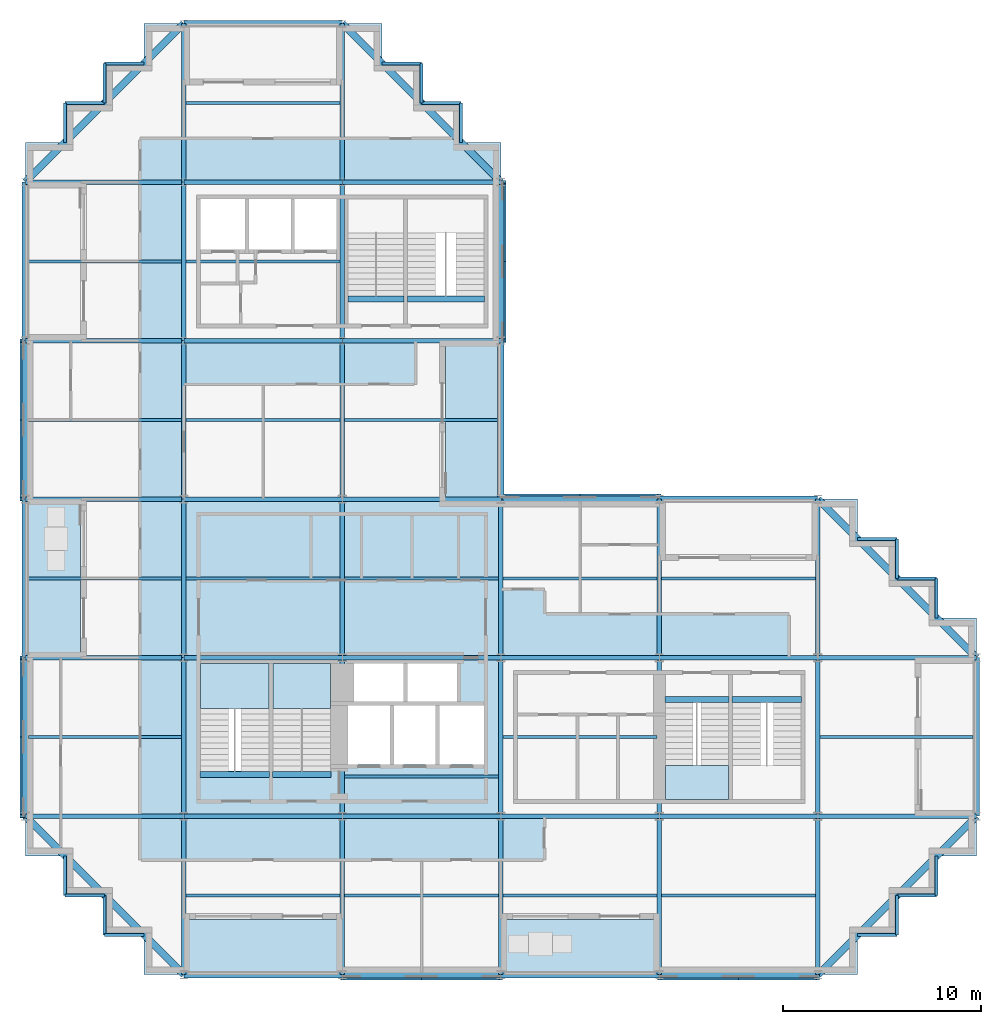
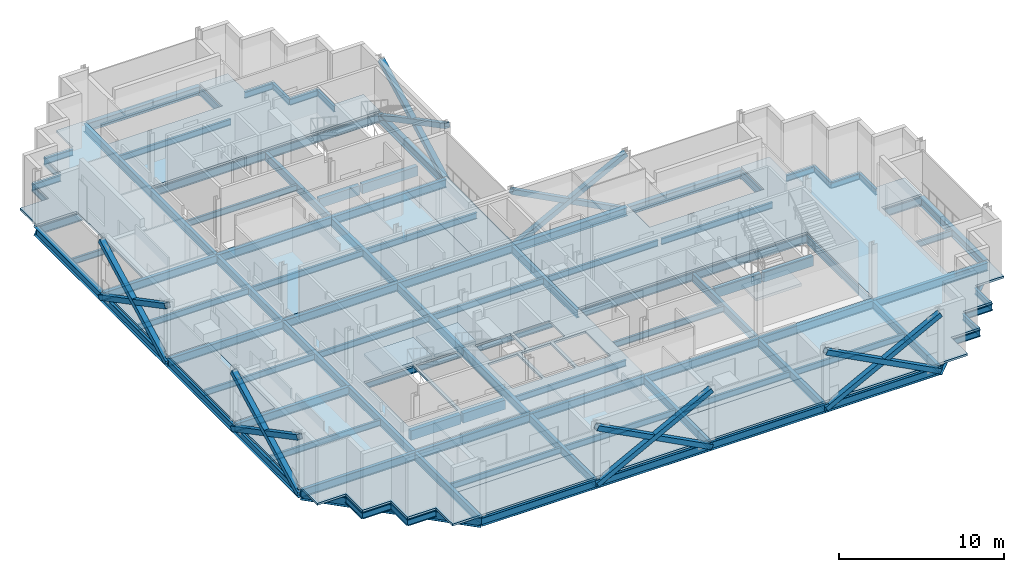
# One storey, part 3 of 13: 106 beams, 12 members, 9 slabs, 3 elements without a shape of their own.
"""IFC4 building model written with IfcOpenShell, lengths in metres."""

from ifc_helpers import new_model, si_unit, direction, frame, origin, origin_2d, place, context, subcontext, project, spatial, polyline, rectangle, hollow_rectangle, i_section, outline, extrude, material, layer, layer_set, material_profile, profile_set, type_object, element, aggregate, save


model = new_model("IFC4")

# Units and contexts
model_context = context("Model", 3, precision=1e-05, world=origin(), true_north=direction((0.0, 1.0)))
body_context = subcontext(model_context, "Body", "Model", "MODEL_VIEW")
ifc_project = project(units=[si_unit("LENGTHUNIT", "METRE"), si_unit("AREAUNIT", "SQUARE_METRE"), si_unit("VOLUMEUNIT", "CUBIC_METRE"), si_unit("PLANEANGLEUNIT", "RADIAN"), si_unit("MASSUNIT", "GRAM", prefix="KILO")], contexts=[model_context])

# Site, building, storey
site_placement = place(None, origin())
site = spatial("IfcSite", under=ifc_project, at=site_placement, CompositionType="ELEMENT")
building_placement = place(site_placement, origin())
building = spatial("IfcBuilding", under=site, at=building_placement, Name="Immortelle Media Tower", CompositionType="ELEMENT")
storey_placement = place(building_placement, frame((0.0, 0.0, 170.39990234375)))
storey = spatial("IfcBuildingStorey", under=building, at=storey_placement, Name="L35", CompositionType="ELEMENT", Elevation=170.39990234375)

# Members
ifc_material_1 = material(Name="Steel ASTM A500 Gr C", Category="steel")
ifc_material_profile_1 = material_profile(ifc_material_1, hollow_rectangle(XDim=0.35595703125, YDim=0.35595703125, WallThickness=0.011962890625, at=origin_2d()), Name="HSS14x14x1/2 brace")
ifc_profile_set_1 = profile_set([ifc_material_profile_1], Name="Steel ASTM A500 Gr C")
member_type = type_object("IfcMemberType", Name="HSS14x14x1/2 brace", PredefinedType="BRACE", material=ifc_profile_set_1)
for number, where, z_axis, x_axis, name in (
    (1, (16.0, -0.087890625, -0.455810546875), (0.885400126936, 0.0, 0.464829662588), (0.0, 1.0, 0.0), "Brace A/3-4 A"),
    (2, (16.0, -0.087890625, 3.744140625), (0.885400126936, 0.0, -0.464829662588), (0.0, 1.0, 0.0), "Brace A/3-4 B"),
    (3, (32.0, -0.087890625, -0.455810546875), (0.885400126936, 0.0, 0.464829662588), (0.0, 1.0, 0.0), "Brace A/5-6 A"),
    (4, (32.0, -0.087890625, 3.744140625), (0.885400126936, 0.0, -0.464829662588), (0.0, 1.0, 0.0), "Brace A/5-6 B"),
    (5, (32.0, 24.087890625, -0.455810546875), (-0.885400126936, 0.0, 0.464829662588), (0.0, -1.0, 0.0), "Brace D/4-5 A"),
    (6, (32.0, 24.087890625, 3.744140625), (-0.885400126936, 0.0, -0.464829662588), (0.0, -1.0, 0.0), "Brace D/4-5 B"),
    (7, (24.087890625, 32.0, -0.455810546875), (0.0, 0.885400126936, 0.464829662588), (-1.0, 0.0, 0.0), "Brace 4/E-F A"),
    (8, (24.087890625, 32.0, 3.744140625), (0.0, 0.885400126936, -0.464829662588), (-1.0, 0.0, 0.0), "Brace 4/E-F B"),
    (9, (-0.087890625, 32.0, -0.455810546875), (0.0, -0.885400126936, 0.464829662588), (1.0, 0.0, 0.0), "Brace 1/D-E A"),
    (10, (-0.087890625, 32.0, 3.744140625), (0.0, -0.885400126936, -0.464829662588), (1.0, 0.0, 0.0), "Brace 1/D-E B"),
    (11, (-0.087890625, 16.0, -0.455810546875), (0.0, -0.885400126936, 0.464829662588), (1.0, 0.0, 0.0), "Brace 1/B-C A"),
    (12, (-0.087890625, 16.0, 3.744140625), (0.0, -0.885400126936, -0.464829662588), (1.0, 0.0, 0.0), "Brace 1/B-C B"),
):
    element("IfcMember", number, at=place(storey_placement, frame(where, z_axis=z_axis, x_axis=x_axis)), inside=storey, type_object=member_type, Name=name, PredefinedType="BRACE", context=body_context, shape_type="SweptSolid", body=[
        extrude(hollow_rectangle(XDim=0.35595703125, YDim=0.35595703125, WallThickness=0.011962890625, at=origin_2d()), origin(), (0.0, 0.0, 1.0), 9.035400390625),
    ])

# Beams
ifc_material_2 = material(Name="Concrete C50/60", Category="concrete")
ifc_material_profile_2 = material_profile(ifc_material_2, rectangle(XDim=0.300048828125, YDim=0.699951171875, at=origin_2d()), Name="RC 300x700")
ifc_profile_set_2 = profile_set([ifc_material_profile_2], Name="Concrete C50/60")
beam_type_1 = type_object("IfcBeamType", Name="Stair trimmer beam 300 x 700", PredefinedType="BEAM", material=ifc_profile_set_2)
beam_1_placement = place(storey_placement, frame((8.830078125, 10.10498046875, -0.5), z_axis=(1.0, 0.0, 0.0), x_axis=(0.0, 1.0, 0.0)))
element("IfcBeam", 13, at=beam_1_placement, inside=storey, type_object=beam_type_1, Name="Stair trimmer beam SW1", PredefinedType="BEAM", context=body_context, shape_type="SweptSolid", body=[
    extrude(rectangle(XDim=0.300048828125, YDim=0.699951171875, at=origin_2d()), origin(), (0.0, 0.0, 1.0), 3.489990234375),
])
beam_2_placement = place(storey_placement, frame((12.47998046875, 10.10498046875, -0.5), z_axis=(1.0, 0.0, 0.0), x_axis=(0.0, 1.0, 0.0)))
element("IfcBeam", 14, at=beam_2_placement, inside=storey, type_object=beam_type_1, Name="Stair trimmer beam SW2", PredefinedType="BEAM", context=body_context, shape_type="SweptSolid", body=[
    extrude(rectangle(XDim=0.300048828125, YDim=0.699951171875, at=origin_2d()), origin(), (0.0, 0.0, 1.0), 2.93994140625),
])
beam_3_placement = place(storey_placement, frame((32.280029296875, 13.89501953125, -0.5), z_axis=(1.0, 0.0, 0.0), x_axis=(0.0, 1.0, 0.0)))
element("IfcBeam", 15, at=beam_3_placement, inside=storey, type_object=beam_type_1, Name="Stair trimmer beam SE1", PredefinedType="BEAM", context=body_context, shape_type="SweptSolid", body=[
    extrude(rectangle(XDim=0.300048828125, YDim=0.699951171875, at=origin_2d()), origin(), (0.0, 0.0, 1.0), 3.239990234375),
])
beam_4_placement = place(storey_placement, frame((35.679931640625, 13.89501953125, -0.5), z_axis=(1.0, 0.0, 0.0), x_axis=(0.0, 1.0, 0.0)))
element("IfcBeam", 16, at=beam_4_placement, inside=storey, type_object=beam_type_1, Name="Stair trimmer beam SE2", PredefinedType="BEAM", context=body_context, shape_type="SweptSolid", body=[
    extrude(rectangle(XDim=0.300048828125, YDim=0.699951171875, at=origin_2d()), origin(), (0.0, 0.0, 1.0), 3.489990234375),
])
beam_5_placement = place(storey_placement, frame((16.280029296875, 34.10498046875, -0.5), z_axis=(1.0, 0.0, 0.0), x_axis=(0.0, 1.0, 0.0)))
element("IfcBeam", 17, at=beam_5_placement, inside=storey, type_object=beam_type_1, Name="Stair trimmer beam NW1", PredefinedType="BEAM", context=body_context, shape_type="SweptSolid", body=[
    extrude(rectangle(XDim=0.300048828125, YDim=0.699951171875, at=origin_2d()), origin(), (0.0, 0.0, 1.0), 2.840087890625),
])
beam_6_placement = place(storey_placement, frame((19.280029296875, 34.10498046875, -0.5), z_axis=(1.0, 0.0, 0.0), x_axis=(0.0, 1.0, 0.0)))
element("IfcBeam", 18, at=beam_6_placement, inside=storey, type_object=beam_type_1, Name="Stair trimmer beam NW2", PredefinedType="BEAM", context=body_context, shape_type="SweptSolid", body=[
    extrude(rectangle(XDim=0.300048828125, YDim=0.699951171875, at=origin_2d()), origin(), (0.0, 0.0, 1.0), 3.889892578125),
])
ifc_material_3 = material(Name="Steel ASTM A992 Gr 50", Category="steel")
ifc_material_profile_3 = material_profile(ifc_material_3, i_section(OverallWidth=0.153076171875, OverallDepth=0.455078125, WebThickness=0.008056640625, FlangeThickness=0.012939453125, at=origin_2d()), Name="W18x40")
ifc_profile_set_3 = profile_set([ifc_material_profile_3], Name="Steel ASTM A992 Gr 50")
beam_type_2 = type_object("IfcBeamType", Name="W18x40 secondary beam", PredefinedType="JOIST", material=ifc_profile_set_3)
for number, where, z_axis, x_axis, name in (
    (19, (8.114013671875, 4.0, -0.37744140625), (1.0, 0.0, 0.0), (0.0, 1.0, 0.0), "Beam A-B/2-3"),
    (20, (16.114013671875, 4.0, -0.37744140625), (1.0, 0.0, 0.0), (0.0, 1.0, 0.0), "Beam A-B/3-4"),
    (21, (24.114013671875, 4.0, -0.37744140625), (1.0, 0.0, 0.0), (0.0, 1.0, 0.0), "Beam A-B/4-5"),
    (22, (32.114013671875, 4.0, -0.37744140625), (1.0, 0.0, 0.0), (0.0, 1.0, 0.0), "Beam A-B/5-6"),
):
    element("IfcBeam", number, at=place(storey_placement, frame(where, z_axis=z_axis, x_axis=x_axis)), inside=storey, type_object=beam_type_2, Name=name, PredefinedType="JOIST", context=body_context, shape_type="SweptSolid", body=[
        extrude(i_section(OverallWidth=0.153076171875, OverallDepth=0.455078125, WebThickness=0.008056640625, FlangeThickness=0.012939453125, at=origin_2d()), origin(), (0.0, 0.0, 1.0), 7.77197265625),
    ])
beam_7_placement = place(storey_placement, frame((0.162109375, 12.0, -0.37744140625), z_axis=(1.0, 0.0, 0.0), x_axis=(0.0, 1.0, 0.0)))
element("IfcBeam", 23, at=beam_7_placement, inside=storey, type_object=beam_type_2, Name="Beam B-C/1-2", PredefinedType="JOIST", context=body_context, shape_type="SweptSolid", body=[
    extrude(i_section(OverallWidth=0.153076171875, OverallDepth=0.455078125, WebThickness=0.008056640625, FlangeThickness=0.012939453125, at=origin_2d()), origin(), (0.0, 0.0, 1.0), 7.723876953125),
])
for number, where, z_axis, x_axis, name in (
    (24, (16.114013671875, 10.0, -0.37744140625), (1.0, 0.0, 0.0), (0.0, 1.0, 0.0), "Beam B-C/3-4"),
    (25, (24.114013671875, 12.0, -0.37744140625), (1.0, 0.0, 0.0), (0.0, 1.0, 0.0), "Beam B-C/4-5"),
):
    element("IfcBeam", number, at=place(storey_placement, frame(where, z_axis=z_axis, x_axis=x_axis)), inside=storey, type_object=beam_type_2, Name=name, PredefinedType="JOIST", context=body_context, shape_type="SweptSolid", body=[
        extrude(i_section(OverallWidth=0.153076171875, OverallDepth=0.455078125, WebThickness=0.008056640625, FlangeThickness=0.012939453125, at=origin_2d()), origin(), (0.0, 0.0, 1.0), 7.77197265625),
    ])
for number, where, z_axis, x_axis, name in (
    (26, (40.114013671875, 12.0, -0.37744140625), (1.0, 0.0, 0.0), (0.0, 1.0, 0.0), "Beam B-C/6-7"),
    (27, (0.162109375, 20.0, -0.37744140625), (1.0, 0.0, 0.0), (0.0, 1.0, 0.0), "Beam C-D/1-2"),
):
    element("IfcBeam", number, at=place(storey_placement, frame(where, z_axis=z_axis, x_axis=x_axis)), inside=storey, type_object=beam_type_2, Name=name, PredefinedType="JOIST", context=body_context, shape_type="SweptSolid", body=[
        extrude(i_section(OverallWidth=0.153076171875, OverallDepth=0.455078125, WebThickness=0.008056640625, FlangeThickness=0.012939453125, at=origin_2d()), origin(), (0.0, 0.0, 1.0), 7.723876953125),
    ])
for number, where, z_axis, x_axis, name in (
    (28, (8.114013671875, 20.0, -0.37744140625), (1.0, 0.0, 0.0), (0.0, 1.0, 0.0), "Beam C-D/2-3"),
    (29, (16.114013671875, 20.0, -0.37744140625), (1.0, 0.0, 0.0), (0.0, 1.0, 0.0), "Beam C-D/3-4"),
    (30, (24.114013671875, 20.0, -0.37744140625), (1.0, 0.0, 0.0), (0.0, 1.0, 0.0), "Beam C-D/4-5"),
    (31, (32.114013671875, 20.0, -0.37744140625), (1.0, 0.0, 0.0), (0.0, 1.0, 0.0), "Beam C-D/5-6"),
):
    element("IfcBeam", number, at=place(storey_placement, frame(where, z_axis=z_axis, x_axis=x_axis)), inside=storey, type_object=beam_type_2, Name=name, PredefinedType="JOIST", context=body_context, shape_type="SweptSolid", body=[
        extrude(i_section(OverallWidth=0.153076171875, OverallDepth=0.455078125, WebThickness=0.008056640625, FlangeThickness=0.012939453125, at=origin_2d()), origin(), (0.0, 0.0, 1.0), 7.77197265625),
    ])
beam_8_placement = place(storey_placement, frame((0.162109375, 28.0, -0.37744140625), z_axis=(1.0, 0.0, 0.0), x_axis=(0.0, 1.0, 0.0)))
element("IfcBeam", 32, at=beam_8_placement, inside=storey, type_object=beam_type_2, Name="Beam D-E/1-2", PredefinedType="JOIST", context=body_context, shape_type="SweptSolid", body=[
    extrude(i_section(OverallWidth=0.153076171875, OverallDepth=0.455078125, WebThickness=0.008056640625, FlangeThickness=0.012939453125, at=origin_2d()), origin(), (0.0, 0.0, 1.0), 7.723876953125),
])
beam_9_placement = place(storey_placement, frame((8.114013671875, 28.0, -0.37744140625), z_axis=(1.0, 0.0, 0.0), x_axis=(0.0, 1.0, 0.0)))
element("IfcBeam", 33, at=beam_9_placement, inside=storey, type_object=beam_type_2, Name="Beam D-E/2-3", PredefinedType="JOIST", context=body_context, shape_type="SweptSolid", body=[
    extrude(i_section(OverallWidth=0.153076171875, OverallDepth=0.455078125, WebThickness=0.008056640625, FlangeThickness=0.012939453125, at=origin_2d()), origin(), (0.0, 0.0, 1.0), 7.77197265625),
])
for number, where, z_axis, x_axis, name in (
    (34, (16.114013671875, 28.0, -0.37744140625), (1.0, 0.0, 0.0), (0.0, 1.0, 0.0), "Beam D-E/3-4"),
    (35, (0.162109375, 36.0, -0.37744140625), (1.0, 0.0, 0.0), (0.0, 1.0, 0.0), "Beam E-F/1-2"),
):
    element("IfcBeam", number, at=place(storey_placement, frame(where, z_axis=z_axis, x_axis=x_axis)), inside=storey, type_object=beam_type_2, Name=name, PredefinedType="JOIST", context=body_context, shape_type="SweptSolid", body=[
        extrude(i_section(OverallWidth=0.153076171875, OverallDepth=0.455078125, WebThickness=0.008056640625, FlangeThickness=0.012939453125, at=origin_2d()), origin(), (0.0, 0.0, 1.0), 7.723876953125),
    ])
for number, where, z_axis, x_axis, name in (
    (36, (8.114013671875, 36.0, -0.37744140625), (1.0, 0.0, 0.0), (0.0, 1.0, 0.0), "Beam E-F/2-3"),
    (37, (8.114013671875, 44.0, -0.37744140625), (1.0, 0.0, 0.0), (0.0, 1.0, 0.0), "Beam F-G/2-3"),
):
    element("IfcBeam", number, at=place(storey_placement, frame(where, z_axis=z_axis, x_axis=x_axis)), inside=storey, type_object=beam_type_2, Name=name, PredefinedType="JOIST", context=body_context, shape_type="SweptSolid", body=[
        extrude(i_section(OverallWidth=0.153076171875, OverallDepth=0.455078125, WebThickness=0.008056640625, FlangeThickness=0.012939453125, at=origin_2d()), origin(), (0.0, 0.0, 1.0), 7.77197265625),
    ])
ifc_material_profile_4 = material_profile(ifc_material_3, i_section(OverallWidth=0.153076171875, OverallDepth=0.455078125, WebThickness=0.008056640625, FlangeThickness=0.012939453125, at=origin_2d()), Name="W18x40")
ifc_profile_set_4 = profile_set([ifc_material_profile_4], Name="Steel ASTM A992 Gr 50")
beam_type_3 = type_object("IfcBeamType", Name="W18x40 serration edge beam", PredefinedType="SPANDREL", material=ifc_profile_set_4)
for number, where, z_axis, x_axis, name in (
    (38, (6.0, 2.0, -0.37744140625), (-1.0, 0.0, 0.0), (0.0, -1.0, 0.0), "Corner edge beam 1 at 1/A"),
    (39, (4.0, 2.0, -0.37744140625), (0.0, 1.0, 0.0), (-1.0, 0.0, 0.0), "Corner edge beam 2 at 1/A"),
    (40, (4.0, 4.0, -0.37744140625), (-1.0, 0.0, 0.0), (0.0, -1.0, 0.0), "Corner edge beam 3 at 1/A"),
    (41, (2.0, 4.0, -0.37744140625), (0.0, 1.0, 0.0), (-1.0, 0.0, 0.0), "Corner edge beam 4 at 1/A"),
    (42, (2.0, 42.0, -0.37744140625), (0.0, 1.0, 0.0), (-1.0, 0.0, 0.0), "Corner edge beam 1 at 1/G"),
    (43, (2.0, 44.0, -0.37744140625), (1.0, 0.0, 0.0), (0.0, 1.0, 0.0), "Corner edge beam 2 at 1/G"),
    (44, (4.0, 44.0, -0.37744140625), (0.0, 1.0, 0.0), (-1.0, 0.0, 0.0), "Corner edge beam 3 at 1/G"),
    (45, (4.0, 46.0, -0.37744140625), (1.0, 0.0, 0.0), (0.0, 1.0, 0.0), "Corner edge beam 4 at 1/G"),
    (46, (18.0, 46.0, -0.37744140625), (1.0, 0.0, 0.0), (0.0, 1.0, 0.0), "Corner edge beam 1 at 4/G"),
    (47, (20.0, 46.0, -0.37744140625), (0.0, -1.0, 0.0), (1.0, 0.0, 0.0), "Corner edge beam 2 at 4/G"),
    (48, (20.0, 44.0, -0.37744140625), (1.0, 0.0, 0.0), (0.0, 1.0, 0.0), "Corner edge beam 3 at 4/G"),
    (49, (22.0, 44.0, -0.37744140625), (0.0, -1.0, 0.0), (1.0, 0.0, 0.0), "Corner edge beam 4 at 4/G"),
    (50, (46.0, 6.0, -0.37744140625), (0.0, -1.0, 0.0), (1.0, 0.0, 0.0), "Corner edge beam 1 at 7/A"),
    (51, (46.0, 4.0, -0.37744140625), (-1.0, 0.0, 0.0), (0.0, -1.0, 0.0), "Corner edge beam 2 at 7/A"),
    (52, (44.0, 4.0, -0.37744140625), (0.0, -1.0, 0.0), (1.0, 0.0, 0.0), "Corner edge beam 3 at 7/A"),
    (53, (44.0, 2.0, -0.37744140625), (-1.0, 0.0, 0.0), (0.0, -1.0, 0.0), "Corner edge beam 4 at 7/A"),
    (54, (42.0, 22.0, -0.37744140625), (1.0, 0.0, 0.0), (0.0, 1.0, 0.0), "Corner edge beam 1 at 7/D"),
    (55, (44.0, 22.0, -0.37744140625), (0.0, -1.0, 0.0), (1.0, 0.0, 0.0), "Corner edge beam 2 at 7/D"),
    (56, (44.0, 20.0, -0.37744140625), (1.0, 0.0, 0.0), (0.0, 1.0, 0.0), "Corner edge beam 3 at 7/D"),
    (57, (46.0, 20.0, -0.37744140625), (0.0, -1.0, 0.0), (1.0, 0.0, 0.0), "Corner edge beam 4 at 7/D"),
):
    element("IfcBeam", number, at=place(storey_placement, frame(where, z_axis=z_axis, x_axis=x_axis)), inside=storey, type_object=beam_type_3, Name=name, PredefinedType="SPANDREL", context=body_context, shape_type="SweptSolid", body=[
        extrude(i_section(OverallWidth=0.153076171875, OverallDepth=0.455078125, WebThickness=0.008056640625, FlangeThickness=0.012939453125, at=origin_2d()), origin(), (0.0, 0.0, 1.0), 2.0),
    ])
ifc_material_profile_5 = material_profile(ifc_material_3, i_section(OverallWidth=0.323974609375, OverallDepth=0.612060546875, WebThickness=0.012939453125, FlangeThickness=0.01904296875, at=origin_2d()), Name="W24x104")
ifc_profile_set_5 = profile_set([ifc_material_profile_5], Name="Steel ASTM A992 Gr 50")
beam_type_4 = type_object("IfcBeamType", Name="W24x104 perimeter girder", PredefinedType="SPANDREL", material=ifc_profile_set_5)
for number, where, z_axis, x_axis, name in (
    (58, (0.0, 8.0, -0.455810546875), (0.0, 1.0, 0.0), (-1.0, 0.0, 0.0), "Girder 1/B-C"),
    (59, (0.0, 16.0, -0.455810546875), (0.0, 1.0, 0.0), (-1.0, 0.0, 0.0), "Girder 1/C-D"),
    (60, (0.0, 24.0, -0.455810546875), (0.0, 1.0, 0.0), (-1.0, 0.0, 0.0), "Girder 1/D-E"),
    (61, (0.0, 32.0, -0.455810546875), (0.0, 1.0, 0.0), (-1.0, 0.0, 0.0), "Girder 1/E-F"),
    (62, (8.0, 0.0, -0.455810546875), (1.0, 0.0, 0.0), (0.0, 1.0, 0.0), "Girder A/2-3"),
    (63, (8.0, 48.0, -0.455810546875), (1.0, 0.0, 0.0), (0.0, 1.0, 0.0), "Girder G/2-3"),
    (64, (16.0, 0.0, -0.455810546875), (1.0, 0.0, 0.0), (0.0, 1.0, 0.0), "Girder A/3-4"),
    (65, (24.0, 0.0, -0.455810546875), (1.0, 0.0, 0.0), (0.0, 1.0, 0.0), "Girder A/4-5"),
    (66, (24.0, 24.0, -0.455810546875), (1.0, 0.0, 0.0), (0.0, 1.0, 0.0), "Girder D/4-5"),
    (67, (24.0, 24.0, -0.455810546875), (0.0, 1.0, 0.0), (-1.0, 0.0, 0.0), "Girder 4/D-E"),
    (68, (24.0, 32.0, -0.455810546875), (0.0, 1.0, 0.0), (-1.0, 0.0, 0.0), "Girder 4/E-F"),
    (69, (32.0, 0.0, -0.455810546875), (1.0, 0.0, 0.0), (0.0, 1.0, 0.0), "Girder A/5-6"),
    (70, (32.0, 24.0, -0.455810546875), (1.0, 0.0, 0.0), (0.0, 1.0, 0.0), "Girder D/5-6"),
    (71, (48.0, 8.0, -0.455810546875), (0.0, 1.0, 0.0), (-1.0, 0.0, 0.0), "Girder 7/B-C"),
):
    element("IfcBeam", number, at=place(storey_placement, frame(where, z_axis=z_axis, x_axis=x_axis)), inside=storey, type_object=beam_type_4, Name=name, PredefinedType="SPANDREL", context=body_context, shape_type="SweptSolid", body=[
        extrude(i_section(OverallWidth=0.323974609375, OverallDepth=0.612060546875, WebThickness=0.012939453125, FlangeThickness=0.01904296875, at=origin_2d()), origin(), (0.0, 0.0, 1.0), 8.0),
    ])
ifc_material_profile_6 = material_profile(ifc_material_3, i_section(OverallWidth=0.22802734375, OverallDepth=0.60205078125, WebThickness=0.010986328125, FlangeThickness=0.014892578125, at=origin_2d()), Name="W24x68")
ifc_profile_set_6 = profile_set([ifc_material_profile_6], Name="Steel ASTM A992 Gr 50")
beam_type_5 = type_object("IfcBeamType", Name="W24x68 girder", PredefinedType="BEAM", material=ifc_profile_set_6)
for number, where, z_axis, x_axis, name in (
    (72, (0.0, 8.0, -0.450927734375), (1.0, 0.0, 0.0), (0.0, 1.0, 0.0), "Girder B/1-2"),
    (73, (0.0, 16.0, -0.450927734375), (1.0, 0.0, 0.0), (0.0, 1.0, 0.0), "Girder C/1-2"),
    (74, (0.0, 24.0, -0.450927734375), (1.0, 0.0, 0.0), (0.0, 1.0, 0.0), "Girder D/1-2"),
    (75, (0.0, 32.0, -0.450927734375), (1.0, 0.0, 0.0), (0.0, 1.0, 0.0), "Girder E/1-2"),
    (76, (0.0, 40.0, -0.450927734375), (1.0, 0.0, 0.0), (0.0, 1.0, 0.0), "Girder F/1-2"),
    (77, (8.0, 0.0, -0.450927734375), (0.0, 1.0, 0.0), (-1.0, 0.0, 0.0), "Girder 2/A-B"),
    (78, (8.0, 8.0, -0.450927734375), (1.0, 0.0, 0.0), (0.0, 1.0, 0.0), "Girder B/2-3"),
    (79, (8.0, 8.0, -0.450927734375), (0.0, 1.0, 0.0), (-1.0, 0.0, 0.0), "Girder 2/B-C"),
    (80, (8.0, 16.0, -0.450927734375), (1.0, 0.0, 0.0), (0.0, 1.0, 0.0), "Girder C/2-3"),
    (81, (8.0, 16.0, -0.450927734375), (0.0, 1.0, 0.0), (-1.0, 0.0, 0.0), "Girder 2/C-D"),
    (82, (8.0, 24.0, -0.450927734375), (1.0, 0.0, 0.0), (0.0, 1.0, 0.0), "Girder D/2-3"),
    (83, (8.0, 24.0, -0.450927734375), (0.0, 1.0, 0.0), (-1.0, 0.0, 0.0), "Girder 2/D-E"),
    (84, (8.0, 32.0, -0.450927734375), (1.0, 0.0, 0.0), (0.0, 1.0, 0.0), "Girder E/2-3"),
    (85, (8.0, 32.0, -0.450927734375), (0.0, 1.0, 0.0), (-1.0, 0.0, 0.0), "Girder 2/E-F"),
    (86, (8.0, 40.0, -0.450927734375), (1.0, 0.0, 0.0), (0.0, 1.0, 0.0), "Girder F/2-3"),
    (87, (8.0, 40.0, -0.450927734375), (0.0, 1.0, 0.0), (-1.0, 0.0, 0.0), "Girder 2/F-G"),
    (88, (16.0, 0.0, -0.450927734375), (0.0, 1.0, 0.0), (-1.0, 0.0, 0.0), "Girder 3/A-B"),
    (89, (16.0, 8.0, -0.450927734375), (1.0, 0.0, 0.0), (0.0, 1.0, 0.0), "Girder B/3-4"),
    (90, (16.0, 8.0, -0.450927734375), (0.0, 1.0, 0.0), (-1.0, 0.0, 0.0), "Girder 3/B-C"),
    (91, (16.0, 16.0, -0.450927734375), (1.0, 0.0, 0.0), (0.0, 1.0, 0.0), "Girder C/3-4"),
    (92, (16.0, 16.0, -0.450927734375), (0.0, 1.0, 0.0), (-1.0, 0.0, 0.0), "Girder 3/C-D"),
    (93, (16.0, 24.0, -0.450927734375), (1.0, 0.0, 0.0), (0.0, 1.0, 0.0), "Girder D/3-4"),
    (94, (16.0, 24.0, -0.450927734375), (0.0, 1.0, 0.0), (-1.0, 0.0, 0.0), "Girder 3/D-E"),
    (95, (16.0, 32.0, -0.450927734375), (1.0, 0.0, 0.0), (0.0, 1.0, 0.0), "Girder E/3-4"),
    (96, (16.0, 32.0, -0.450927734375), (0.0, 1.0, 0.0), (-1.0, 0.0, 0.0), "Girder 3/E-F"),
    (97, (16.0, 40.0, -0.450927734375), (1.0, 0.0, 0.0), (0.0, 1.0, 0.0), "Girder F/3-4"),
    (98, (16.0, 40.0, -0.450927734375), (0.0, 1.0, 0.0), (-1.0, 0.0, 0.0), "Girder 3/F-G"),
    (99, (24.0, 0.0, -0.450927734375), (0.0, 1.0, 0.0), (-1.0, 0.0, 0.0), "Girder 4/A-B"),
    (100, (24.0, 8.0, -0.450927734375), (1.0, 0.0, 0.0), (0.0, 1.0, 0.0), "Girder B/4-5"),
    (101, (24.0, 8.0, -0.450927734375), (0.0, 1.0, 0.0), (-1.0, 0.0, 0.0), "Girder 4/B-C"),
    (102, (24.0, 16.0, -0.450927734375), (1.0, 0.0, 0.0), (0.0, 1.0, 0.0), "Girder C/4-5"),
    (103, (24.0, 16.0, -0.450927734375), (0.0, 1.0, 0.0), (-1.0, 0.0, 0.0), "Girder 4/C-D"),
    (104, (32.0, 0.0, -0.450927734375), (0.0, 1.0, 0.0), (-1.0, 0.0, 0.0), "Girder 5/A-B"),
    (105, (32.0, 8.0, -0.450927734375), (1.0, 0.0, 0.0), (0.0, 1.0, 0.0), "Girder B/5-6"),
    (106, (32.0, 8.0, -0.450927734375), (0.0, 1.0, 0.0), (-1.0, 0.0, 0.0), "Girder 5/B-C"),
    (107, (32.0, 16.0, -0.450927734375), (1.0, 0.0, 0.0), (0.0, 1.0, 0.0), "Girder C/5-6"),
    (108, (32.0, 16.0, -0.450927734375), (0.0, 1.0, 0.0), (-1.0, 0.0, 0.0), "Girder 5/C-D"),
    (109, (40.0, 0.0, -0.450927734375), (0.0, 1.0, 0.0), (-1.0, 0.0, 0.0), "Girder 6/A-B"),
    (110, (40.0, 8.0, -0.450927734375), (1.0, 0.0, 0.0), (0.0, 1.0, 0.0), "Girder B/6-7"),
    (111, (40.0, 8.0, -0.450927734375), (0.0, 1.0, 0.0), (-1.0, 0.0, 0.0), "Girder 6/B-C"),
    (112, (40.0, 16.0, -0.450927734375), (1.0, 0.0, 0.0), (0.0, 1.0, 0.0), "Girder C/6-7"),
    (113, (40.0, 16.0, -0.450927734375), (0.0, 1.0, 0.0), (-1.0, 0.0, 0.0), "Girder 6/C-D"),
):
    element("IfcBeam", number, at=place(storey_placement, frame(where, z_axis=z_axis, x_axis=x_axis)), inside=storey, type_object=beam_type_5, Name=name, PredefinedType="BEAM", context=body_context, shape_type="SweptSolid", body=[
        extrude(i_section(OverallWidth=0.22802734375, OverallDepth=0.60205078125, WebThickness=0.010986328125, FlangeThickness=0.014892578125, at=origin_2d()), origin(), (0.0, 0.0, 1.0), 8.0),
    ])
ifc_material_profile_7 = material_profile(ifc_material_3, i_section(OverallWidth=0.35595703125, OverallDepth=0.696044921875, WebThickness=0.014892578125, FlangeThickness=0.02490234375, at=origin_2d()), Name="W27x146")
ifc_profile_set_7 = profile_set([ifc_material_profile_7], Name="Steel ASTM A992 Gr 50")
beam_type_6 = type_object("IfcBeamType", Name="W27x146 corner girder", PredefinedType="SPANDREL", material=ifc_profile_set_7)
for number, where, z_axis, x_axis, name in (
    (114, (8.0, 0.0, -0.497802734375), (-0.707106781187, 0.707106781187, 0.0), (-0.707106781187, -0.707106781187, 0.0), "Corner girder at 1/A"),
    (115, (0.0, 40.0, -0.497802734375), (0.707106781187, 0.707106781187, 0.0), (-0.707106781187, 0.707106781187, 0.0), "Corner girder at 1/G"),
    (116, (16.0, 48.0, -0.497802734375), (0.707106781187, -0.707106781187, 0.0), (0.707106781187, 0.707106781187, 0.0), "Corner girder at 4/G"),
    (117, (48.0, 8.0, -0.497802734375), (-0.707106781187, -0.707106781187, 0.0), (0.707106781187, -0.707106781187, 0.0), "Corner girder at 7/A"),
    (118, (40.0, 24.0, -0.497802734375), (0.707106781187, -0.707106781187, 0.0), (0.707106781187, 0.707106781187, 0.0), "Corner girder at 7/D"),
):
    element("IfcBeam", number, at=place(storey_placement, frame(where, z_axis=z_axis, x_axis=x_axis)), inside=storey, type_object=beam_type_6, Name=name, PredefinedType="SPANDREL", context=body_context, shape_type="SweptSolid", body=[
        extrude(i_section(OverallWidth=0.35595703125, OverallDepth=0.696044921875, WebThickness=0.014892578125, FlangeThickness=0.02490234375, at=origin_2d()), origin(), (0.0, 0.0, 1.0), 11.313720703125),
    ])

# Slabs
ifc_material_4 = material(Name="Concrete C50/60 composite deck", Category="concrete")
ifc_layer_1 = layer(ifc_material_4, 0.14990234375)
ifc_layer_set_1 = layer_set([ifc_layer_1], Name="Concrete C50/60 composite deck")
slab_type_1 = type_object("IfcSlabType", Name="Balcony slab 150", PredefinedType="FLOOR", material=ifc_layer_set_1)
slab_1_placement = place(storey_placement, frame((0.0, 0.0, -0.14990234375)))
element("IfcSlab", 119, at=slab_1_placement, inside=storey, type_object=slab_type_1, Name="Balcony slab L35 S0", PredefinedType="FLOOR", context=body_context, shape_type="SweptSolid", body=[
    extrude(outline(polyline([(16.0, 0.0), (16.0, 2.800048828125), (8.0, 2.800048828125), (8.0, 0.0), (16.0, 0.0)])), origin(), (0.0, 0.0, 1.0), 0.14990234375),
])
slab_2_placement = place(storey_placement, frame((0.0, 0.0, -0.14990234375)))
element("IfcSlab", 120, at=slab_2_placement, inside=storey, type_object=slab_type_1, Name="Balcony slab L35 S2", PredefinedType="FLOOR", context=body_context, shape_type="SweptSolid", body=[
    extrude(outline(polyline([(32.0, 0.0), (32.0, 2.800048828125), (24.0, 2.800048828125), (24.0, 0.0), (32.0, 0.0)])), origin(), (0.0, 0.0, 1.0), 0.14990234375),
])
slab_3_placement = place(storey_placement, frame((0.0, 0.0, -0.14990234375)))
element("IfcSlab", 121, at=slab_3_placement, inside=storey, type_object=slab_type_1, Name="Balcony slab L35 E0", PredefinedType="FLOOR", context=body_context, shape_type="SweptSolid", body=[
    extrude(outline(polyline([(24.0, 24.0), (24.0, 32.0), (21.199951171875, 32.0), (21.199951171875, 24.0), (24.0, 24.0)])), origin(), (0.0, 0.0, 1.0), 0.14990234375),
])
slab_4_placement = place(storey_placement, frame((0.0, 0.0, -0.14990234375)))
element("IfcSlab", 122, at=slab_4_placement, inside=storey, type_object=slab_type_1, Name="Balcony slab L35 W2", PredefinedType="FLOOR", context=body_context, shape_type="SweptSolid", body=[
    extrude(outline(polyline([(2.800048828125, 16.0), (2.800048828125, 24.0), (0.0, 24.0), (0.0, 16.0), (2.800048828125, 16.0)])), origin(), (0.0, 0.0, 1.0), 0.14990234375),
])
ifc_layer_2 = layer(ifc_material_2, 0.14990234375)
ifc_layer_set_2 = layer_set([ifc_layer_2], Name="Concrete C50/60")
slab_type_2 = type_object("IfcSlabType", Name="Composite floor slab 150", PredefinedType="FLOOR", material=ifc_layer_set_2)
slab_5_placement = place(storey_placement, frame((0.0, 0.0, -0.14990234375)))
element("IfcSlab", 123, at=slab_5_placement, inside=storey, type_object=slab_type_2, Name="Floor slab L35", PredefinedType="FLOOR", context=body_context, shape_type="SweptSolid", body=[
    extrude(outline(polyline([(6.0, 0.0), (6.0, 2.0), (4.0, 2.0), (4.0, 4.0), (2.0, 4.0), (2.0, 6.0), (0.0, 6.0), (0.0, 16.0), (2.800048828125, 16.0), (2.800048828125, 24.0), (0.0, 24.0), (0.0, 32.0), (2.800048828125, 32.0), (2.800048828125, 40.0), (0.0, 40.0), (0.0, 42.0), (2.0, 42.0), (2.0, 44.0), (4.0, 44.0), (4.0, 46.0), (6.0, 46.0), (6.0, 48.0), (8.0, 48.0), (8.0, 45.199951171875), (16.0, 45.199951171875), (16.0, 48.0), (18.0, 48.0), (18.0, 46.0), (20.0, 46.0), (20.0, 44.0), (22.0, 44.0), (22.0, 42.0), (24.0, 42.0), (24.0, 40.0), (8.0, 40.0), (8.0, 32.0), (21.199951171875, 32.0), (21.199951171875, 24.0), (8.0, 24.0), (8.0, 8.0), (24.0, 8.0), (40.0, 8.0), (40.0, 16.0), (24.0, 16.0), (24.0, 24.0), (32.0, 24.0), (32.0, 21.199951171875), (40.0, 21.199951171875), (40.0, 24.0), (42.0, 24.0), (42.0, 22.0), (44.0, 22.0), (44.0, 20.0), (46.0, 20.0), (46.0, 18.0), (48.0, 18.0), (48.0, 16.0), (45.199951171875, 16.0), (45.199951171875, 8.0), (48.0, 8.0), (48.0, 6.0), (46.0, 6.0), (46.0, 4.0), (44.0, 4.0), (44.0, 2.0), (42.0, 2.0), (42.0, 0.0), (32.0, 0.0), (32.0, 2.800048828125), (24.0, 2.800048828125), (24.0, 0.0), (16.0, 0.0), (16.0, 2.800048828125), (8.0, 2.800048828125), (8.0, 0.0), (6.0, 0.0)])), origin(), (0.0, 0.0, 1.0), 0.14990234375),
])
ifc_layer_3 = layer(ifc_material_2, 0.14990234375)
ifc_layer_set_3 = layer_set([ifc_layer_3], Name="Concrete C50/60")
slab_type_3 = type_object("IfcSlabType", Name="Core floor slab 150", PredefinedType="FLOOR", material=ifc_layer_set_3)
slab_6_placement = place(storey_placement, frame((0.0, 0.0, -0.14990234375)))
element("IfcSlab", 124, at=slab_6_placement, inside=storey, type_object=slab_type_3, Name="Core floor SW", PredefinedType="FLOOR", context=body_context, shape_type="SweptSolid", body=[
    extrude(outline(polyline([(8.0, 8.0), (24.0, 8.0), (24.0, 24.0), (8.0, 24.0), (8.0, 8.0)]), holes=[polyline([(16.60009765625, 13.800048828125), (19.10009765625, 13.800048828125), (19.10009765625, 15.699951171875), (16.60009765625, 15.699951171875), (16.60009765625, 13.800048828125)]), polyline([(19.300048828125, 13.800048828125), (21.800048828125, 13.800048828125), (21.800048828125, 15.699951171875), (19.300048828125, 15.699951171875), (19.300048828125, 13.800048828125)]), polyline([(16.300048828125, 10.60009765625), (18.39990234375, 10.60009765625), (18.39990234375, 13.60009765625), (16.300048828125, 13.60009765625), (16.300048828125, 10.60009765625)]), polyline([(18.60009765625, 10.60009765625), (20.699951171875, 10.60009765625), (20.699951171875, 13.60009765625), (18.60009765625, 13.60009765625), (18.60009765625, 10.60009765625)]), polyline([(20.89990234375, 10.60009765625), (23.14990234375, 10.60009765625), (23.14990234375, 13.60009765625), (20.89990234375, 13.60009765625), (20.89990234375, 10.60009765625)]), polyline([(8.85009765625, 10.27001953125), (12.300048828125, 10.27001953125), (12.300048828125, 15.699951171875), (8.85009765625, 15.699951171875), (8.85009765625, 10.27001953125)]), polyline([(12.5, 10.27001953125), (15.39990234375, 10.27001953125), (15.39990234375, 15.699951171875), (12.5, 15.699951171875), (12.5, 10.27001953125)])]), origin(), (0.0, 0.0, 1.0), 0.14990234375),
])

# Stair, slab
stair_type = type_object("IfcStairType", Name="Stair with flights", PredefinedType="DOUBLE_RETURN_STAIR", material=ifc_material_3)
stair_1_placement = place(storey_placement, origin())
stair_1 = element("IfcStair", 125, at=stair_1_placement, inside=storey, type_object=stair_type, Name="Exit stair SW1", PredefinedType="DOUBLE_RETURN_STAIR")
ifc_material_5 = material(Name="Steel ASTM A572 Gr 50", Category="steel")
ifc_layer_4 = layer(ifc_material_5, 0.199951171875)
ifc_layer_set_4 = layer_set([ifc_layer_4], Name="Steel ASTM A572 Gr 50")
slab_type_4 = type_object("IfcSlabType", Name="Stair landing 200", PredefinedType="LANDING", material=ifc_layer_set_4)
slab_7_placement = place(storey_placement, frame((0.0, 0.0, 1.900146484375)))
slab_7 = element("IfcSlab", 126, at=slab_7_placement, type_object=slab_type_4, Name="ST SW1 landing 1", PredefinedType="LANDING", context=body_context, shape_type="SweptSolid", body=[
    extrude(outline(polyline([(8.85009765625, 13.43994140625), (12.300048828125, 13.43994140625), (12.300048828125, 15.699951171875), (8.85009765625, 15.699951171875), (8.85009765625, 13.43994140625)])), origin(), (0.0, 0.0, 1.0), 0.199951171875),
])
aggregate(stair_1, [slab_7])

stair_2_placement = place(storey_placement, origin())
stair_2 = element("IfcStair", 127, at=stair_2_placement, inside=storey, type_object=stair_type, Name="Exit stair SW2", PredefinedType="DOUBLE_RETURN_STAIR")
slab_8_placement = place(storey_placement, frame((0.0, 0.0, 1.900146484375)))
slab_8 = element("IfcSlab", 128, at=slab_8_placement, type_object=slab_type_4, Name="ST SW2 landing 1", PredefinedType="LANDING", context=body_context, shape_type="SweptSolid", body=[
    extrude(outline(polyline([(12.5, 13.43994140625), (15.39990234375, 13.43994140625), (15.39990234375, 15.699951171875), (12.5, 15.699951171875), (12.5, 13.43994140625)])), origin(), (0.0, 0.0, 1.0), 0.199951171875),
])
aggregate(stair_2, [slab_8])

stair_3_placement = place(storey_placement, origin())
stair_3 = element("IfcStair", 129, at=stair_3_placement, inside=storey, type_object=stair_type, Name="Exit stair SE1", PredefinedType="DOUBLE_RETURN_STAIR")
slab_9_placement = place(storey_placement, frame((0.0, 0.0, 1.900146484375)))
slab_9 = element("IfcSlab", 130, at=slab_9_placement, type_object=slab_type_4, Name="ST SE1 landing 1", PredefinedType="LANDING", context=body_context, shape_type="SweptSolid", body=[
    extrude(outline(polyline([(32.300048828125, 8.85009765625), (35.5, 8.85009765625), (35.5, 10.56005859375), (32.300048828125, 10.56005859375), (32.300048828125, 8.85009765625)])), origin(), (0.0, 0.0, 1.0), 0.199951171875),
])
aggregate(stair_3, [slab_9])

save(model, "model.ifc")
